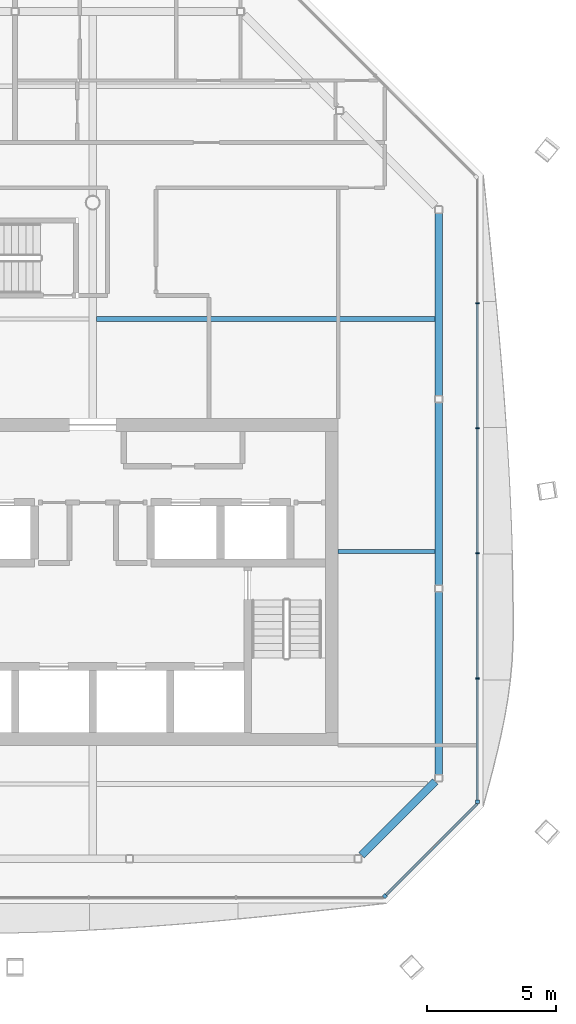
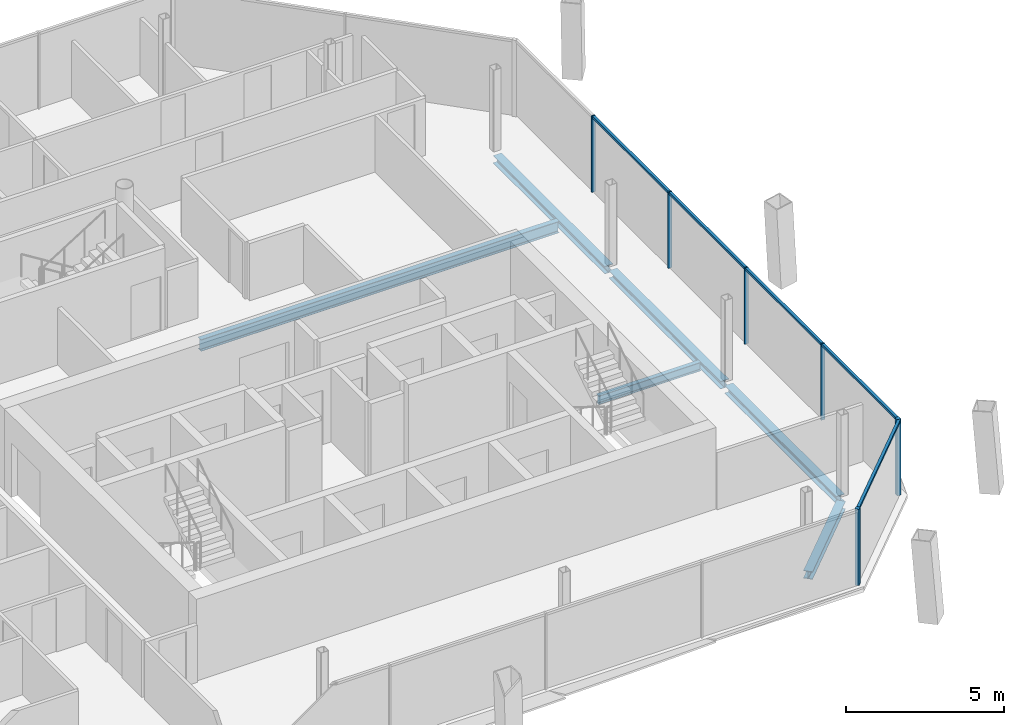
# One storey, part 6 of 15: 11 members, 6 beams, 2 elements without a shape of their own.
"""IFC4 building model written with IfcOpenShell, lengths in metres."""

from ifc_helpers import new_model, si_unit, direction, frame, origin, origin_2d, place, context, subcontext, project, spatial, rectangle, i_section, extrude, material, material_profile, profile_set, type_object, element, aggregate, save


model = new_model("IFC4")

# Units and contexts
model_context = context("Model", 3, precision=1e-05, world=origin(), true_north=direction((0.0, 1.0)))
body_context = subcontext(model_context, "Body", "Model", "MODEL_VIEW")
ifc_project = project(units=[si_unit("LENGTHUNIT", "METRE"), si_unit("AREAUNIT", "SQUARE_METRE"), si_unit("VOLUMEUNIT", "CUBIC_METRE"), si_unit("PLANEANGLEUNIT", "RADIAN"), si_unit("MASSUNIT", "GRAM", prefix="KILO")], contexts=[model_context])

# Site, building, storey
site_placement = place(None, origin())
site = spatial("IfcSite", under=ifc_project, at=site_placement, CompositionType="ELEMENT")
building_placement = place(site_placement, origin())
building = spatial("IfcBuilding", under=site, at=building_placement, Name="Tskaro Facet Tower", CompositionType="ELEMENT")
storey_placement = place(building_placement, frame((0.0, 0.0, 242.39990234375)))
storey = spatial("IfcBuildingStorey", under=building, at=storey_placement, Name="L63", CompositionType="ELEMENT", Elevation=242.39990234375)

# Curtain wall, member
ifc_material_1 = material(Name="Bronze anodised aluminium 6063-T6", Category="aluminium")
curtain_wall_type = type_object("IfcCurtainWallType", Name="Bronze residence curtain wall (FW3)", PredefinedType="NOTDEFINED", material=ifc_material_1)
curtain_wall_1_placement = place(storey_placement, origin())
curtain_wall_1 = element("IfcCurtainWall", 1, at=curtain_wall_1_placement, inside=storey, type_object=curtain_wall_type, Name="FW3 south-east facet L63", PredefinedType="NOTDEFINED")
ifc_material_profile_1 = material_profile(ifc_material_1, rectangle(XDim=0.139892578125, YDim=0.139892578125, at=origin_2d()), Name="Corner post 140x140")
ifc_profile_set_1 = profile_set([ifc_material_profile_1], Name="Bronze anodised aluminium 6063-T6")
member_type_1 = type_object("IfcMemberType", Name="FW3 bronze corner post 140x140", PredefinedType="MULLION", material=ifc_profile_set_1)
member_1_placement = place(storey_placement, frame((11.302490234375, -17.839599609375, 0.0), z_axis=(0.0, 0.0, 1.0), x_axis=(0.707106781187, 0.707106781187, 0.0)))
member_1 = element("IfcMember", 2, at=member_1_placement, type_object=member_type_1, Name="FW3 south-east corner post", PredefinedType="MULLION", context=body_context, shape_type="SweptSolid", body=[
    extrude(rectangle(XDim=0.139892578125, YDim=0.139892578125, at=origin_2d()), origin(), (0.0, 0.0, 1.0), 2.9501953125),
])

# Curtain wall, members
curtain_wall_2_placement = place(storey_placement, origin())
curtain_wall_2 = element("IfcCurtainWall", 3, at=curtain_wall_2_placement, inside=storey, type_object=curtain_wall_type, Name="FW3 east facet L63", PredefinedType="NOTDEFINED")
member_2_placement = place(storey_placement, frame((14.888916015625, -14.18310546875, 0.0), z_axis=(0.0, 0.0, 1.0), x_axis=(0.0, 1.0, 0.0)))
member_2 = element("IfcMember", 4, at=member_2_placement, type_object=member_type_1, Name="FW3 east corner post", PredefinedType="MULLION", context=body_context, shape_type="SweptSolid", body=[
    extrude(rectangle(XDim=0.139892578125, YDim=0.139892578125, at=origin_2d()), origin(), (0.0, 0.0, 1.0), 2.9501953125),
])
ifc_material_profile_2 = material_profile(ifc_material_1, rectangle(XDim=0.050048828125, YDim=0.139892578125, at=origin_2d()), Name="Mullion 50x140")
ifc_profile_set_2 = profile_set([ifc_material_profile_2], Name="Bronze anodised aluminium 6063-T6")
member_type_2 = type_object("IfcMemberType", Name="FW3 bronze mullion 50x140", PredefinedType="MULLION", material=ifc_profile_set_2)
member_3_placement = place(storey_placement, frame((14.888916015625, -9.412841796875, 0.0), z_axis=(0.0, 0.0, 1.0), x_axis=(0.0, 1.0, 0.0)))
member_3 = element("IfcMember", 5, at=member_3_placement, type_object=member_type_2, Name="FW3 east mullion 1", PredefinedType="MULLION", context=body_context, shape_type="SweptSolid", body=[
    extrude(rectangle(XDim=0.050048828125, YDim=0.139892578125, at=origin_2d()), origin(), (0.0, 0.0, 1.0), 2.9501953125),
])
member_4_placement = place(storey_placement, frame((14.888916015625, -4.572509765625, 0.0), z_axis=(0.0, 0.0, 1.0), x_axis=(0.0, 1.0, 0.0)))
member_4 = element("IfcMember", 6, at=member_4_placement, type_object=member_type_2, Name="FW3 east mullion 2", PredefinedType="MULLION", context=body_context, shape_type="SweptSolid", body=[
    extrude(rectangle(XDim=0.050048828125, YDim=0.139892578125, at=origin_2d()), origin(), (0.0, 0.0, 1.0), 2.9501953125),
])
member_5_placement = place(storey_placement, frame((14.888916015625, 0.267578125, 0.0), z_axis=(0.0, 0.0, 1.0), x_axis=(0.0, 1.0, 0.0)))
member_5 = element("IfcMember", 7, at=member_5_placement, type_object=member_type_2, Name="FW3 east mullion 3", PredefinedType="MULLION", context=body_context, shape_type="SweptSolid", body=[
    extrude(rectangle(XDim=0.050048828125, YDim=0.139892578125, at=origin_2d()), origin(), (0.0, 0.0, 1.0), 2.9501953125),
])
member_6_placement = place(storey_placement, frame((14.888916015625, 5.10791015625, 0.0), z_axis=(0.0, 0.0, 1.0), x_axis=(0.0, 1.0, 0.0)))
member_6 = element("IfcMember", 8, at=member_6_placement, type_object=member_type_2, Name="FW3 east mullion 4", PredefinedType="MULLION", context=body_context, shape_type="SweptSolid", body=[
    extrude(rectangle(XDim=0.050048828125, YDim=0.139892578125, at=origin_2d()), origin(), (0.0, 0.0, 1.0), 2.9501953125),
])

# Member
ifc_material_profile_3 = material_profile(ifc_material_1, rectangle(XDim=0.10009765625, YDim=0.090087890625, at=origin_2d()), Name="Transom 100x90")
ifc_profile_set_3 = profile_set([ifc_material_profile_3], Name="Bronze anodised aluminium 6063-T6")
member_type_3 = type_object("IfcMemberType", Name="FW3 bronze transom 100x90", PredefinedType="USERDEFINED", material=ifc_profile_set_3)
member_7_placement = place(storey_placement, frame((11.35205078125, -17.7900390625, 2.905029296875), z_axis=(0.707082376735, 0.707131184796, 0.0), x_axis=(-0.707131184796, 0.707082376735, 0.0)))
member_7 = element("IfcMember", 9, at=member_7_placement, type_object=member_type_3, Name="FW3 south-east transom 1.1", ObjectType="TRANSOM", PredefinedType="USERDEFINED", context=body_context, shape_type="SweptSolid", body=[
    extrude(rectangle(XDim=0.10009765625, YDim=0.090087890625, at=origin_2d()), origin(), (0.0, 0.0, 1.0), 5.001953125),
])

aggregate(curtain_wall_1, [member_1, member_7])

member_8_placement = place(storey_placement, frame((14.888916015625, -14.113037109375, 2.905029296875), z_axis=(0.0, 1.0, 0.0), x_axis=(-1.0, 0.0, 0.0)))
member_8 = element("IfcMember", 10, at=member_8_placement, type_object=member_type_3, Name="FW3 east transom 1.1", ObjectType="TRANSOM", PredefinedType="USERDEFINED", context=body_context, shape_type="SweptSolid", body=[
    extrude(rectangle(XDim=0.10009765625, YDim=0.090087890625, at=origin_2d()), origin(), (0.0, 0.0, 1.0), 4.67529296875),
])

member_9_placement = place(storey_placement, frame((14.888916015625, -9.3876953125, 2.905029296875), z_axis=(0.0, 1.0, 0.0), x_axis=(-1.0, 0.0, 0.0)))
member_9 = element("IfcMember", 11, at=member_9_placement, type_object=member_type_3, Name="FW3 east transom 2.1", ObjectType="TRANSOM", PredefinedType="USERDEFINED", context=body_context, shape_type="SweptSolid", body=[
    extrude(rectangle(XDim=0.10009765625, YDim=0.090087890625, at=origin_2d()), origin(), (0.0, 0.0, 1.0), 4.7900390625),
])

member_10_placement = place(storey_placement, frame((14.888916015625, -4.547607421875, 2.905029296875), z_axis=(0.0, 1.0, 0.0), x_axis=(-1.0, 0.0, 0.0)))
member_10 = element("IfcMember", 12, at=member_10_placement, type_object=member_type_3, Name="FW3 east transom 3.1", ObjectType="TRANSOM", PredefinedType="USERDEFINED", context=body_context, shape_type="SweptSolid", body=[
    extrude(rectangle(XDim=0.10009765625, YDim=0.090087890625, at=origin_2d()), origin(), (0.0, 0.0, 1.0), 4.790283203125),
])

member_11_placement = place(storey_placement, frame((14.888916015625, 0.29248046875, 2.905029296875), z_axis=(0.0, 1.0, 0.0), x_axis=(-1.0, 0.0, 0.0)))
member_11 = element("IfcMember", 13, at=member_11_placement, type_object=member_type_3, Name="FW3 east transom 4.1", ObjectType="TRANSOM", PredefinedType="USERDEFINED", context=body_context, shape_type="SweptSolid", body=[
    extrude(rectangle(XDim=0.10009765625, YDim=0.090087890625, at=origin_2d()), origin(), (0.0, 0.0, 1.0), 4.790283203125),
])

aggregate(curtain_wall_2, [member_2, member_3, member_4, member_5, member_6, member_8, member_9, member_10, member_11])

# Beams
ifc_material_2 = material(Name="Steel S355J2", Category="steel")
ifc_material_profile_4 = material_profile(ifc_material_2, i_section(OverallWidth=0.300048828125, OverallDepth=0.300048828125, WebThickness=0.010986328125, FlangeThickness=0.01904296875, FilletRadius=0.027099609375, at=origin_2d()), Name="HE 300 B")
ifc_profile_set_4 = profile_set([ifc_material_profile_4], Name="Steel S355J2")
beam_type_1 = type_object("IfcBeamType", Name="HE 300 B ring beam", PredefinedType="BEAM", material=ifc_profile_set_4)
beam_1_placement = place(storey_placement, frame((10.40380859375, -16.255126953125, -0.289794921875), z_axis=(0.707106781187, 0.707106781187, 0.0), x_axis=(-0.707106781187, 0.707106781187, 0.0)))
element("IfcBeam", 14, at=beam_1_placement, inside=storey, type_object=beam_type_1, Name="HE 300 B EB4-5", PredefinedType="BEAM", context=body_context, shape_type="SweptSolid", body=[
    extrude(i_section(OverallWidth=0.300048828125, OverallDepth=0.300048828125, WebThickness=0.010986328125, FlangeThickness=0.01904296875, FilletRadius=0.027099609375, at=origin_2d()), origin(), (0.0, 0.0, 1.0), 4.032470703125),
])
beam_2_placement = place(storey_placement, frame((13.39111328125, -13.137939453125, -0.289794921875), z_axis=(0.0, 1.0, 0.0), x_axis=(-1.0, 0.0, 0.0)))
element("IfcBeam", 15, at=beam_2_placement, inside=storey, type_object=beam_type_1, Name="HE 300 B EB5-5", PredefinedType="BEAM", context=body_context, shape_type="SweptSolid", body=[
    extrude(i_section(OverallWidth=0.300048828125, OverallDepth=0.300048828125, WebThickness=0.010986328125, FlangeThickness=0.01904296875, FilletRadius=0.027099609375, at=origin_2d()), origin(), (0.0, 0.0, 1.0), 7.071044921875),
])
beam_3_placement = place(storey_placement, frame((13.39111328125, -5.806884765625, -0.289794921875), z_axis=(0.0, 1.0, 0.0), x_axis=(-1.0, 0.0, 0.0)))
element("IfcBeam", 16, at=beam_3_placement, inside=storey, type_object=beam_type_1, Name="HE 300 B EB6-5", PredefinedType="BEAM", context=body_context, shape_type="SweptSolid", body=[
    extrude(i_section(OverallWidth=0.300048828125, OverallDepth=0.300048828125, WebThickness=0.010986328125, FlangeThickness=0.01904296875, FilletRadius=0.027099609375, at=origin_2d()), origin(), (0.0, 0.0, 1.0), 7.07080078125),
])
beam_4_placement = place(storey_placement, frame((13.39111328125, 1.52392578125, -0.289794921875), z_axis=(0.0, 1.0, 0.0), x_axis=(-1.0, 0.0, 0.0)))
element("IfcBeam", 17, at=beam_4_placement, inside=storey, type_object=beam_type_1, Name="HE 300 B EB7-5", PredefinedType="BEAM", context=body_context, shape_type="SweptSolid", body=[
    extrude(i_section(OverallWidth=0.300048828125, OverallDepth=0.300048828125, WebThickness=0.010986328125, FlangeThickness=0.01904296875, FilletRadius=0.027099609375, at=origin_2d()), origin(), (0.0, 0.0, 1.0), 7.071044921875),
])
ifc_material_profile_5 = material_profile(ifc_material_2, i_section(OverallWidth=0.159912109375, OverallDepth=0.330078125, WebThickness=0.007568359375, FlangeThickness=0.011474609375, FilletRadius=0.01806640625, at=origin_2d()), Name="IPE 330")
ifc_profile_set_5 = profile_set([ifc_material_profile_5], Name="Steel S355J2")
beam_type_2 = type_object("IfcBeamType", Name="IPE 330 secondary beam", PredefinedType="BEAM", material=ifc_profile_set_5)
beam_5_placement = place(storey_placement, frame((9.5, -4.5, -0.304931640625), z_axis=(1.0, 0.0, 0.0), x_axis=(0.0, 1.0, 0.0)))
element("IfcBeam", 18, at=beam_5_placement, inside=storey, type_object=beam_type_2, Name="IPE 330 SB3a-2-5", PredefinedType="BEAM", context=body_context, shape_type="SweptSolid", body=[
    extrude(i_section(OverallWidth=0.159912109375, OverallDepth=0.330078125, WebThickness=0.007568359375, FlangeThickness=0.011474609375, FilletRadius=0.01806640625, at=origin_2d()), origin(), (0.0, 0.0, 1.0), 3.740966796875),
])
ifc_material_profile_6 = material_profile(ifc_material_2, i_section(OverallWidth=0.18994140625, OverallDepth=0.449951171875, WebThickness=0.009521484375, FlangeThickness=0.0146484375, FilletRadius=0.02099609375, at=origin_2d()), Name="IPE 450")
ifc_profile_set_6 = profile_set([ifc_material_profile_6], Name="Steel S355J2")
beam_type_3 = type_object("IfcBeamType", Name="IPE 450 long secondary beam", PredefinedType="BEAM", material=ifc_profile_set_6)
beam_6_placement = place(storey_placement, frame((0.14990234375, 4.5, -0.364990234375), z_axis=(1.0, 0.0, 0.0), x_axis=(0.0, 1.0, 0.0)))
element("IfcBeam", 19, at=beam_6_placement, inside=storey, type_object=beam_type_3, Name="IPE 450 LSB4a-3-5", PredefinedType="BEAM", context=body_context, shape_type="SweptSolid", body=[
    extrude(i_section(OverallWidth=0.18994140625, OverallDepth=0.449951171875, WebThickness=0.009521484375, FlangeThickness=0.0146484375, FilletRadius=0.02099609375, at=origin_2d()), origin(), (0.0, 0.0, 1.0), 13.091064453125),
])

save(model, "model.ifc")
